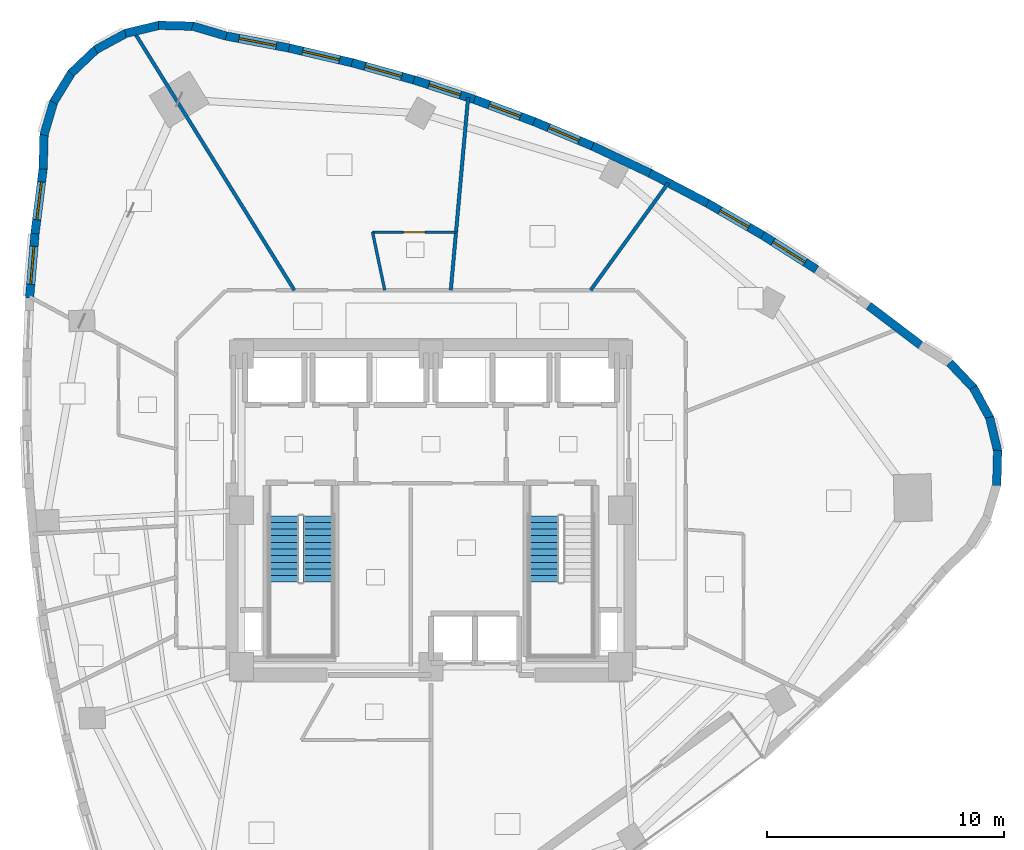
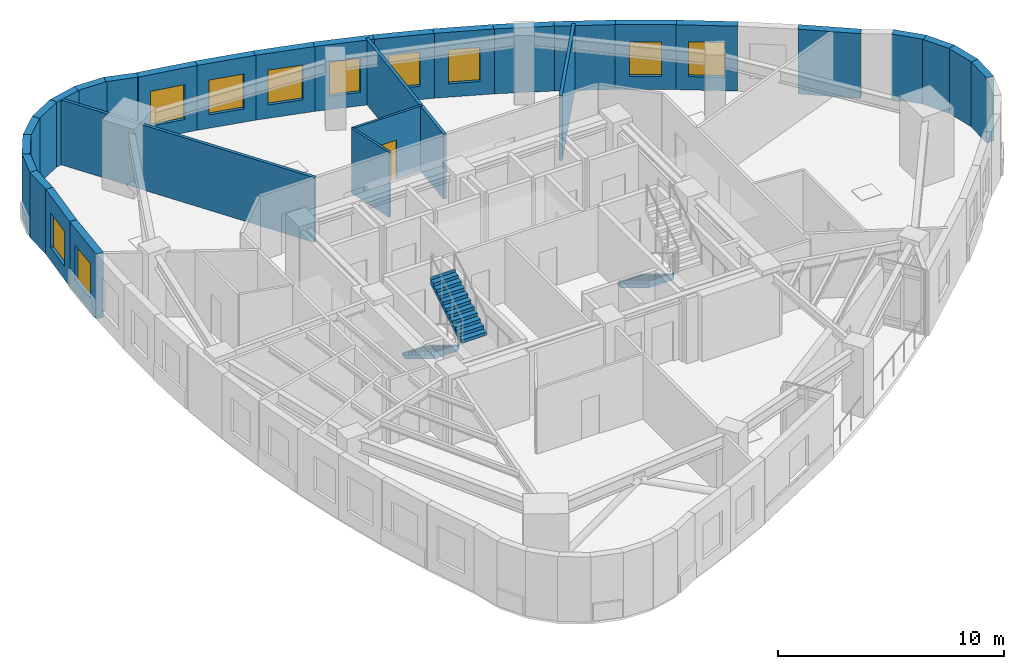
# One storey, part 8 of 12: 30 walls, 10 windows, 3 stair flights, 1 door, 11 openings, 2 elements without a shape of their own.
"""IFC4 building model written with IfcOpenShell, lengths in metres."""

import ifcopenshell
import ifcopenshell.guid

model = None  # the IFC model being written
_history = None  # IfcOwnerHistory: only IFC2X3 demands one
_inside = {}  # id of a spatial element -> (the spatial element, [elements in it])
_under = {}  # id of a project, library or spatial element -> (it, [spatial elements below it])
_declared = {}  # id of a project -> (the project, [libraries it declares])
_typed = {}  # id of a type object -> (the type object, [elements of that type])
_made_of = {}  # id of a material, layer set ... -> (it, [elements and type objects made of it])


def new_model(schema):
    """Start an empty IFC model of exactly this schema.

    Asked for "IFC4X3", IfcOpenShell would pick the latest addendum, in which some entities
    have other attributes; the version numbers below select the first issue.
    IFC2X3 requires an IfcOwnerHistory on every rooted entity: one is made here for all.
    """
    global model, _history
    if schema == "IFC4X3":
        model = ifcopenshell.file(schema_version=(4, 3, 0, 0))
    else:
        model = ifcopenshell.file(schema=schema)
    _inside.clear()
    _under.clear()
    _declared.clear()
    _typed.clear()
    _made_of.clear()
    _history = None
    if model.schema == "IFC2X3":
        org = make("IfcOrganization", Name="unknown")
        user = make(
            "IfcPersonAndOrganization",
            ThePerson=make("IfcPerson", FamilyName="unknown"),
            TheOrganization=org,
        )
        app = make(
            "IfcApplication",
            ApplicationDeveloper=org,
            Version="unknown",
            ApplicationFullName="unknown",
            ApplicationIdentifier="unknown",
        )
        _history = make(
            "IfcOwnerHistory",
            OwningUser=user,
            OwningApplication=app,
            ChangeAction="ADDED",
            CreationDate=0,
        )
    return model


def make(cls, **values):
    """One entity of the class cls with the attributes given. An attribute that is None is left unset."""
    return model.create_entity(
        cls, **{name: value for name, value in values.items() if value is not None}
    )


def rooted(cls, **values):
    """An entity with a GlobalId (a new one), such as an element, a storey or a relation."""
    return make(cls, GlobalId=ifcopenshell.guid.new(), OwnerHistory=_history, **values)


def si_unit(unit_type, name, prefix=None):
    """IfcSIUnit, for example si_unit("LENGTHUNIT", "METRE", prefix="MILLI")."""
    return make("IfcSIUnit", UnitType=unit_type, Prefix=prefix, Name=name)


def assignment(units):
    """IfcUnitAssignment: the units of a project."""
    return None if units is None else make("IfcUnitAssignment", Units=units)


def point(xyz):
    """IfcCartesianPoint."""
    return None if xyz is None else make("IfcCartesianPoint", Coordinates=xyz)


def direction(xyz):
    """IfcDirection."""
    return None if xyz is None else make("IfcDirection", DirectionRatios=xyz)


def frame(location, z_axis=None, x_axis=None):
    """IfcAxis2Placement3D, a coordinate frame: its origin and axes. An axis left out is left unset."""
    return make(
        "IfcAxis2Placement3D",
        Location=point(location),
        Axis=direction(z_axis),
        RefDirection=direction(x_axis),
    )


def frame_2d(location, x_axis=None):
    """IfcAxis2Placement2D, a coordinate frame in the plane: its origin and x axis."""
    return make(
        "IfcAxis2Placement2D", Location=point(location), RefDirection=direction(x_axis)
    )


def origin():
    """The frame at (0, 0, 0) with its axes left unset."""
    return frame((0.0, 0.0, 0.0))


def place(relative_to, where):
    """IfcLocalPlacement: puts the frame where relative to a parent placement (None: the world)."""
    return make(
        "IfcLocalPlacement", PlacementRelTo=relative_to, RelativePlacement=where
    )


def context(
    kind, dimensions, precision=None, world=None, true_north=None, identifier=None
):
    """IfcGeometricRepresentationContext, for example the 3D "Model" context."""
    return make(
        "IfcGeometricRepresentationContext",
        ContextIdentifier=identifier,
        ContextType=kind,
        CoordinateSpaceDimension=dimensions,
        Precision=precision,
        WorldCoordinateSystem=world,
        TrueNorth=true_north,
    )


def subcontext(parent, identifier, kind, view, scale=None):
    """IfcGeometricRepresentationSubContext, for example "Body" below "Model"."""
    return make(
        "IfcGeometricRepresentationSubContext",
        ContextIdentifier=identifier,
        ContextType=kind,
        ParentContext=parent,
        TargetScale=scale,
        TargetView=view,
    )


def project(units=None, contexts=None):
    """IfcProject with its units and contexts."""
    return rooted(
        "IfcProject",
        Name="project",
        RepresentationContexts=contexts,
        UnitsInContext=assignment(units),
    )


def spatial(cls, under=None, at=None, **own):
    """A site, building, storey or space (cls), placed at a placement, below another one or the project."""
    s = rooted(cls, ObjectPlacement=at, **own)
    if under is not None:
        _under.setdefault(under.id(), (under, []))[1].append(s)
    return s


def polyline(points):
    """IfcPolyline through the points."""
    return make("IfcPolyline", Points=[point(p) for p in points])


def profile(cls, at=None, kind="AREA", **sizes):
    """A parametric profile (cls). Its sizes go by their IFC names, for example OverallWidth=200.0."""
    return make(cls, ProfileType=kind, Position=at, **sizes)


def rectangle(**sizes):
    """IfcRectangleProfileDef."""
    return profile("IfcRectangleProfileDef", **sizes)


def outline(outer, holes=None, kind="AREA"):
    """IfcArbitraryClosedProfileDef: a profile drawn as a closed curve; with holes, ...WithVoids."""
    if holes is None:
        return make("IfcArbitraryClosedProfileDef", ProfileType=kind, OuterCurve=outer)
    return make(
        "IfcArbitraryProfileDefWithVoids",
        ProfileType=kind,
        OuterCurve=outer,
        InnerCurves=holes,
    )


def extrude(swept, where, along, depth):
    """IfcExtrudedAreaSolid: the profile swept, set in the frame where, extruded along a direction by depth."""
    return make(
        "IfcExtrudedAreaSolid",
        SweptArea=swept,
        Position=where,
        ExtrudedDirection=direction(along),
        Depth=depth,
    )


def shape(context_of_items, identifier, shape_type, items):
    """IfcShapeRepresentation: the items that make up one representation, for example the "Body"."""
    return make(
        "IfcShapeRepresentation",
        ContextOfItems=context_of_items,
        RepresentationIdentifier=identifier,
        RepresentationType=shape_type,
        Items=items,
    )


def material(Name=None, Category=None):
    """IfcMaterial."""
    return make("IfcMaterial", Name=Name, Category=Category)


def layer(
    of_material, thickness, ventilated=None, Name=None, Category=None, Priority=None
):
    """IfcMaterialLayer: one layer of a wall or slab, of a material (None: an air gap)."""
    return make(
        "IfcMaterialLayer",
        Material=of_material,
        LayerThickness=thickness,
        IsVentilated=ventilated,
        Name=Name,
        Category=Category,
        Priority=Priority,
    )


def layer_set(layers, Name=None):
    """IfcMaterialLayerSet."""
    return make("IfcMaterialLayerSet", MaterialLayers=layers, LayerSetName=Name)


def made_of(thing, what):
    """Note that an element or type object is made of a material, layer set ...; save() writes the relation."""
    if what is not None:
        _made_of.setdefault(what.id(), (what, []))[1].append(thing)
    return thing


def type_object(cls, material=None, **own):
    """A type object (cls), such as IfcWallType, which elements share."""
    return made_of(rooted(cls, **own), material)


def element(
    cls,
    number,
    at=None,
    inside=None,
    cuts=None,
    type_object=None,
    material=None,
    context=None,
    identifier="Body",
    shape_type=None,
    held_by="IfcProductDefinitionShape",
    body=None,
    shapes=None,
    **own,
):
    """One element of the class cls, such as IfcWall. Its Tag is "e" and its number.

    at: its placement. inside: the storey or other place that contains it. cuts: it is an
    opening in that element (IfcRelVoidsElement). A single representation is given by context,
    identifier, shape_type and body (its items); several are given by shapes. held_by: the class
    of the entity that holds the representations. save() writes the other relations.
    """
    e = rooted(cls, Tag="e%d" % number, ObjectPlacement=at, **own)
    if body is not None:
        shapes = [shape(context, identifier, shape_type, body)]
    if shapes is not None:
        e.Representation = make(held_by, Representations=shapes)
    if inside is not None:
        _inside.setdefault(inside.id(), (inside, []))[1].append(e)
    if cuts is not None:
        rooted(
            "IfcRelVoidsElement", RelatingBuildingElement=cuts, RelatedOpeningElement=e
        )
    if type_object is not None:
        _typed.setdefault(type_object.id(), (type_object, []))[1].append(e)
    return made_of(e, material)


def fill(opening, filler):
    """IfcRelFillsElement: the door or window that sits in an opening."""
    return rooted(
        "IfcRelFillsElement",
        RelatingOpeningElement=opening,
        RelatedBuildingElement=filler,
    )


def aggregate(whole, parts):
    """IfcRelAggregates: a whole, such as a stair, and the parts it consists of."""
    return rooted("IfcRelAggregates", RelatingObject=whole, RelatedObjects=parts)


def save(model, path):
    """Write the relations noted so far, then the file.

    IfcRelAggregates (storeys below a building ...), IfcRelContainedInSpatialStructure (elements
    in a storey), IfcRelDefinesByType, IfcRelAssociatesMaterial and IfcRelDeclares: one each for
    every whole, place, type object, material and project.
    """
    for whole, parts in _under.values():
        aggregate(whole, parts)
    for where, things in _inside.values():
        rooted(
            "IfcRelContainedInSpatialStructure",
            RelatedElements=things,
            RelatingStructure=where,
        )
    for kind, things in _typed.values():
        rooted("IfcRelDefinesByType", RelatedObjects=things, RelatingType=kind)
    for what, things in _made_of.values():
        rooted("IfcRelAssociatesMaterial", RelatedObjects=things, RelatingMaterial=what)
    for by, libraries in _declared.values():
        rooted("IfcRelDeclares", RelatingContext=by, RelatedDefinitions=libraries)
    model.write(path)


model = new_model("IFC4")

# Units and contexts
model_context = context("Model", 3, precision=1e-05, world=origin(), true_north=direction((0.0, 1.0)))
body_context = subcontext(model_context, "Body", "Model", "MODEL_VIEW")
ifc_project = project(units=[si_unit("LENGTHUNIT", "METRE"), si_unit("AREAUNIT", "SQUARE_METRE"), si_unit("VOLUMEUNIT", "CUBIC_METRE"), si_unit("PLANEANGLEUNIT", "RADIAN"), si_unit("MASSUNIT", "GRAM", prefix="KILO")], contexts=[model_context])

# Site, building, storey
site_placement = place(None, origin())
site = spatial("IfcSite", under=ifc_project, at=site_placement, CompositionType="ELEMENT")
building_placement = place(site_placement, origin())
building = spatial("IfcBuilding", under=site, at=building_placement, Name="Ndelora Gate Hotel", CompositionType="ELEMENT")
storey_placement = place(building_placement, frame((0.0, 0.0, 142.25)))
storey = spatial("IfcBuildingStorey", under=building, at=storey_placement, Name="L35", CompositionType="ELEMENT", Elevation=142.25)

# Walls
ifc_material_1 = material(Name="Clay Brick Masonry", Category="masonry")
ifc_layer_1 = layer(ifc_material_1, 0.360107421875)
ifc_layer_set_1 = layer_set([ifc_layer_1], Name="Clay Brick Masonry")
wall_type_1 = type_object("IfcWallType", Name="WL-BRICK-360", PredefinedType="SOLIDWALL", material=ifc_layer_set_1)
for number, where, z_axis, x_axis, name in (
    (1, (-10.072998046875, 20.455078125, 0.0), (0.0, 0.0, 1.0), (0.95879313952, -0.284105113664, 0.0), "L35 Tower Brick Pier-and-Spandrel Wall TWR-1"),
    (2, (-11.509521484375, 20.486083984375, 0.0), (0.0, 0.0, 1.0), (0.999658678656, -0.026125202154, 0.0), "L35 Tower Brick Pier-and-Spandrel Wall TWR-2"),
):
    element("IfcWall", number, at=place(storey_placement, frame(where, z_axis=z_axis, x_axis=x_axis)), inside=storey, type_object=wall_type_1, Name=name, PredefinedType="SOLIDWALL", context=body_context, shape_type="SweptSolid", body=[
        extrude(rectangle(XDim=1.48583984375, YDim=0.360107421875, at=frame_2d((0.742919921875, 0.0))), origin(), (0.0, 0.0, 1.0), 3.5),
    ])
wall_1_placement = place(storey_placement, frame((-12.90478515625, 20.14453125, 0.0), z_axis=(0.0, 0.0, 1.0), x_axis=(0.972390285352, 0.233360521413, 0.0)))
element("IfcWall", 3, at=wall_1_placement, inside=storey, type_object=wall_type_1, Name="L35 Tower Brick Pier-and-Spandrel Wall TWR-3", PredefinedType="SOLIDWALL", context=body_context, shape_type="SweptSolid", body=[
    extrude(rectangle(XDim=1.485595703125, YDim=0.360107421875, at=frame_2d((0.74267578125, 0.0))), origin(), (0.0, 0.0, 1.0), 3.5),
])
wall_2_placement = place(storey_placement, frame((-14.164306640625, 19.453369140625, 0.0), z_axis=(0.0, 0.0, 1.0), x_axis=(0.87890460574, 0.476997582812, 0.0)))
element("IfcWall", 4, at=wall_2_placement, inside=storey, type_object=wall_type_1, Name="L35 Tower Brick Pier-and-Spandrel Wall TWR-4", PredefinedType="SOLIDWALL", context=body_context, shape_type="SweptSolid", body=[
    extrude(rectangle(XDim=1.48583984375, YDim=0.360107421875, at=frame_2d((0.742919921875, 0.0))), origin(), (0.0, 0.0, 1.0), 3.5),
])
wall_3_placement = place(storey_placement, frame((-15.201904296875, 18.459716796875, 0.0), z_axis=(0.0, 0.0, 1.0), x_axis=(0.725352183474, 0.688377955726, 0.0)))
element("IfcWall", 5, at=wall_3_placement, inside=storey, type_object=wall_type_1, Name="L35 Tower Brick Pier-and-Spandrel Wall TWR-5", PredefinedType="SOLIDWALL", context=body_context, shape_type="SweptSolid", body=[
    extrude(rectangle(XDim=1.485595703125, YDim=0.360107421875, at=frame_2d((0.74267578125, 0.0))), origin(), (0.0, 0.0, 1.0), 3.5),
])
wall_4_placement = place(storey_placement, frame((-15.947021484375, 17.2314453125, 0.0), z_axis=(0.0, 0.0, 1.0), x_axis=(0.522519673624, 0.852627228439, 0.0)))
element("IfcWall", 6, at=wall_4_placement, inside=storey, type_object=wall_type_1, Name="L35 Tower Brick Pier-and-Spandrel Wall TWR-6", PredefinedType="SOLIDWALL", context=body_context, shape_type="SweptSolid", body=[
    extrude(rectangle(XDim=1.48583984375, YDim=0.360107421875, at=frame_2d((0.742919921875, 0.0))), origin(), (0.0, 0.0, 1.0), 3.5),
])
for number, where, z_axis, x_axis, name in (
    (7, (-16.348876953125, 15.85205078125, 0.0), (0.0, 0.0, 1.0), (0.283954048509, 0.958837889497, 0.0), "L35 Tower Brick Pier-and-Spandrel Wall TWR-7"),
    (8, (-16.380126953125, 14.415771484375, 0.0), (0.0, 0.0, 1.0), (0.026293717191, 0.99965426045, 0.0), "L35 Tower Brick Pier-and-Spandrel Wall TWR-8"),
):
    element("IfcWall", number, at=place(storey_placement, frame(where, z_axis=z_axis, x_axis=x_axis)), inside=storey, type_object=wall_type_1, Name=name, PredefinedType="SOLIDWALL", context=body_context, shape_type="SweptSolid", body=[
        extrude(rectangle(XDim=1.485595703125, YDim=0.360107421875, at=frame_2d((0.74267578125, 0.0))), origin(), (0.0, 0.0, 1.0), 3.5),
    ])

# Wall, opening, window
wall_5_placement = place(storey_placement, frame((-16.725341796875, 11.686279296875, 0.0), z_axis=(0.0, 0.0, 1.0), x_axis=(0.124635429152, 0.992202605217, 0.0)))
wall_5 = element("IfcWall", 9, at=wall_5_placement, inside=storey, type_object=wall_type_1, Name="L35 Tower Brick Pier-and-Spandrel Wall TWR-9", PredefinedType="SOLIDWALL", context=body_context, shape_type="SweptSolid", body=[
    extrude(rectangle(XDim=2.801025390625, YDim=0.360107421875, at=frame_2d((1.400390625, 0.0))), origin(), (0.0, 0.0, 1.0), 3.5),
])
opening_1_placement = place(wall_5_placement, frame((0.6005859375, 0.0, 0.719970703125)))
opening_1 = element("IfcOpeningElement", 10, at=opening_1_placement, cuts=wall_5, Name="Opening W03", PredefinedType="OPENING", context=body_context, shape_type="SweptSolid", body=[
    extrude(rectangle(XDim=1.60009765625, YDim=1.8798828125, at=frame_2d((0.800048828125, 0.93994140625))), frame((0.0, 0.18994140625, 0.0), z_axis=(0.0, -1.0, 0.0), x_axis=(1.0, 0.0, 0.0)), (0.0, 0.0, 1.0), 0.380126953125),
])
ifc_material_2 = material(Name="Insulated Low-E Double Glazing in Bronze Aluminium Frame", Category="aluminium")
window_type_1 = type_object("IfcWindowType", Name="WN-CORN-2100", PartitioningType="SINGLE_PANEL", PredefinedType="WINDOW", material=ifc_material_2)
window_1_placement = place(opening_1_placement, origin())
window_1 = element("IfcWindow", 11, at=window_1_placement, inside=storey, type_object=window_type_1, Name="L35 Deep-Set Brick-Pier Window W03", OverallHeight=1.8798828125, OverallWidth=1.60009765625, PartitioningType="SINGLE_PANEL", PredefinedType="WINDOW", context=body_context, shape_type="SweptSolid", body=[
    extrude(rectangle(XDim=1.60009765625, YDim=1.8798828125, at=frame_2d((0.800048828125, 0.93994140625))), frame((0.0, 0.030029296875, 0.0), z_axis=(0.0, -1.0, 0.0), x_axis=(1.0, 0.0, 0.0)), (0.0, 0.0, 1.0), 0.06005859375),
])
fill(opening_1, window_1)

wall_6_placement = place(storey_placement, frame((-16.9541015625, 8.96826171875, 0.0), z_axis=(0.0, 0.0, 1.0), x_axis=(0.084209356436, 0.996448084091, 0.0)))
wall_6 = element("IfcWall", 12, at=wall_6_placement, inside=storey, type_object=wall_type_1, Name="L35 Tower Brick Pier-and-Spandrel Wall TWR-10", PredefinedType="SOLIDWALL", context=body_context, shape_type="SweptSolid", body=[
    extrude(rectangle(XDim=2.77734375, YDim=0.360107421875, at=frame_2d((1.388671875, 0.0))), origin(), (0.0, 0.0, 1.0), 3.5),
])
opening_2_placement = place(wall_6_placement, frame((0.5888671875, 0.0, 0.719970703125)))
opening_2 = element("IfcOpeningElement", 13, at=opening_2_placement, cuts=wall_6, Name="Opening W01", PredefinedType="OPENING", context=body_context, shape_type="SweptSolid", body=[
    extrude(rectangle(XDim=1.60009765625, YDim=1.8798828125, at=frame_2d((0.800048828125, 0.93994140625))), frame((0.0, 0.18994140625, 0.0), z_axis=(0.0, -1.0, 0.0), x_axis=(1.0, 0.0, 0.0)), (0.0, 0.0, 1.0), 0.380126953125),
])
window_type_2 = type_object("IfcWindowType", Name="WN-DEEP-1600", PartitioningType="SINGLE_PANEL", PredefinedType="WINDOW", material=ifc_material_2)
window_2_placement = place(opening_2_placement, origin())
window_2 = element("IfcWindow", 14, at=window_2_placement, inside=storey, type_object=window_type_2, Name="L35 Deep-Set Brick-Pier Window W01", OverallHeight=1.8798828125, OverallWidth=1.60009765625, PartitioningType="SINGLE_PANEL", PredefinedType="WINDOW", context=body_context, shape_type="SweptSolid", body=[
    extrude(rectangle(XDim=1.60009765625, YDim=1.8798828125, at=frame_2d((0.800048828125, 0.93994140625))), frame((0.0, 0.030029296875, 0.0), z_axis=(0.0, -1.0, 0.0), x_axis=(1.0, 0.0, 0.0)), (0.0, 0.0, 1.0), 0.06005859375),
])
fill(opening_2, window_2)

# Walls
wall_7_placement = place(storey_placement, frame((23.92919921875, 2.5400390625, 0.0), z_axis=(0.0, 0.0, 1.0), x_axis=(-0.026289398397, -0.999654374037, 0.0)))
element("IfcWall", 15, at=wall_7_placement, inside=storey, type_object=wall_type_1, Name="L35 Tower Brick Pier-and-Spandrel Wall TWR-42", PredefinedType="SOLIDWALL", context=body_context, shape_type="SweptSolid", body=[
    extrude(rectangle(XDim=1.48583984375, YDim=0.360107421875, at=frame_2d((0.742919921875, 0.0))), origin(), (0.0, 0.0, 1.0), 3.5),
])
for number, where, z_axis, x_axis, name in (
    (16, (23.587646484375, 3.935302734375, 0.0), (0.0, 0.0, 1.0), (0.233360521413, -0.972390285352, 0.0), "L35 Tower Brick Pier-and-Spandrel Wall TWR-43"),
    (17, (22.896484375, 5.19482421875, 0.0), (0.0, 0.0, 1.0), (0.477066476677, -0.878867212286, 0.0), "L35 Tower Brick Pier-and-Spandrel Wall TWR-44"),
):
    element("IfcWall", number, at=place(storey_placement, frame(where, z_axis=z_axis, x_axis=x_axis)), inside=storey, type_object=wall_type_1, Name=name, PredefinedType="SOLIDWALL", context=body_context, shape_type="SweptSolid", body=[
        extrude(rectangle(XDim=1.485595703125, YDim=0.360107421875, at=frame_2d((0.74267578125, 0.0))), origin(), (0.0, 0.0, 1.0), 3.5),
    ])
wall_8_placement = place(storey_placement, frame((21.902587890625, 6.232421875, 0.0), z_axis=(0.0, 0.0, 1.0), x_axis=(0.688464400899, -0.725270134981, 0.0)))
element("IfcWall", 18, at=wall_8_placement, inside=storey, type_object=wall_type_1, Name="L35 Tower Brick Pier-and-Spandrel Wall TWR-45", PredefinedType="SOLIDWALL", context=body_context, shape_type="SweptSolid", body=[
    extrude(rectangle(XDim=1.48583984375, YDim=0.360107421875, at=frame_2d((0.742919921875, 0.0))), origin(), (0.0, 0.0, 1.0), 3.5),
])
wall_9_placement = place(storey_placement, frame((18.483154296875, 8.6416015625, 0.0), z_axis=(0.0, 0.0, 1.0), x_axis=(0.796935762967, -0.604064060928, 0.0)))
element("IfcWall", 19, at=wall_9_placement, inside=storey, type_object=wall_type_1, Name="L35 Tower Brick Pier-and-Spandrel Wall TWR-47", PredefinedType="SOLIDWALL", context=body_context, shape_type="SweptSolid", body=[
    extrude(rectangle(XDim=2.80126953125, YDim=0.360107421875, at=frame_2d((1.400634765625, 0.0))), origin(), (0.0, 0.0, 1.0), 3.5),
])

# Wall, opening, window
wall_10_placement = place(storey_placement, frame((13.9580078125, 11.6513671875, 0.0), z_axis=(0.0, 0.0, 1.0), x_axis=(0.843759875161, -0.53672085209, 0.0)))
wall_10 = element("IfcWall", 20, at=wall_10_placement, inside=storey, type_object=wall_type_1, Name="L35 Tower Brick Pier-and-Spandrel Wall TWR-49", PredefinedType="SOLIDWALL", context=body_context, shape_type="SweptSolid", body=[
    extrude(rectangle(XDim=2.75830078125, YDim=0.360107421875, at=frame_2d((1.379150390625, 0.0))), origin(), (0.0, 0.0, 1.0), 3.5),
])
opening_3_placement = place(wall_10_placement, frame((0.5791015625, 0.0, 0.719970703125)))
opening_3 = element("IfcOpeningElement", 21, at=opening_3_placement, cuts=wall_10, Name="Opening W03", PredefinedType="OPENING", context=body_context, shape_type="SweptSolid", body=[
    extrude(rectangle(XDim=1.60009765625, YDim=1.8798828125, at=frame_2d((0.800048828125, 0.93994140625))), frame((0.0, 0.18994140625, 0.0), z_axis=(0.0, -1.0, 0.0), x_axis=(1.0, 0.0, 0.0)), (0.0, 0.0, 1.0), 0.380126953125),
])
window_3_placement = place(opening_3_placement, origin())
window_3 = element("IfcWindow", 22, at=window_3_placement, inside=storey, type_object=window_type_1, Name="L35 Deep-Set Brick-Pier Window W03", OverallHeight=1.8798828125, OverallWidth=1.60009765625, PartitioningType="SINGLE_PANEL", PredefinedType="WINDOW", context=body_context, shape_type="SweptSolid", body=[
    extrude(rectangle(XDim=1.60009765625, YDim=1.8798828125, at=frame_2d((0.800048828125, 0.93994140625))), frame((0.0, 0.030029296875, 0.0), z_axis=(0.0, -1.0, 0.0), x_axis=(1.0, 0.0, 0.0)), (0.0, 0.0, 1.0), 0.06005859375),
])
fill(opening_3, window_3)

wall_11_placement = place(storey_placement, frame((11.6259765625, 13.000244140625, 0.0), z_axis=(0.0, 0.0, 1.0), x_axis=(0.86542019342, -0.501046793044, 0.0)))
wall_11 = element("IfcWall", 23, at=wall_11_placement, inside=storey, type_object=wall_type_1, Name="L35 Tower Brick Pier-and-Spandrel Wall TWR-50", PredefinedType="SOLIDWALL", context=body_context, shape_type="SweptSolid", body=[
    extrude(rectangle(XDim=2.74365234375, YDim=0.360107421875, at=frame_2d((1.371826171875, 0.0))), origin(), (0.0, 0.0, 1.0), 3.5),
])
opening_4_placement = place(wall_11_placement, frame((0.672119140625, 0.0, 0.719970703125)))
opening_4 = element("IfcOpeningElement", 24, at=opening_4_placement, cuts=wall_11, Name="Opening W02", PredefinedType="OPENING", context=body_context, shape_type="SweptSolid", body=[
    extrude(rectangle(XDim=1.39990234375, YDim=1.840087890625, at=frame_2d((0.699951171875, 0.919921875))), frame((0.0, 0.18994140625, 0.0), z_axis=(0.0, -1.0, 0.0), x_axis=(1.0, 0.0, 0.0)), (0.0, 0.0, 1.0), 0.380126953125),
])
window_type_3 = type_object("IfcWindowType", Name="WN-DEEP-1400", PartitioningType="SINGLE_PANEL", PredefinedType="WINDOW", material=ifc_material_2)
window_4_placement = place(opening_4_placement, origin())
window_4 = element("IfcWindow", 25, at=window_4_placement, inside=storey, type_object=window_type_3, Name="L35 Deep-Set Brick-Pier Window W02", OverallHeight=1.840087890625, OverallWidth=1.39990234375, PartitioningType="SINGLE_PANEL", PredefinedType="WINDOW", context=body_context, shape_type="SweptSolid", body=[
    extrude(rectangle(XDim=1.39990234375, YDim=1.840087890625, at=frame_2d((0.699951171875, 0.919921875))), frame((0.0, 0.030029296875, 0.0), z_axis=(0.0, -1.0, 0.0), x_axis=(1.0, 0.0, 0.0)), (0.0, 0.0, 1.0), 0.06005859375),
])
fill(opening_4, window_4)

# Walls
wall_12_placement = place(storey_placement, frame((9.24755859375, 14.2451171875, 0.0), z_axis=(0.0, 0.0, 1.0), x_axis=(0.885821049336, -0.464027012741, 0.0)))
element("IfcWall", 26, at=wall_12_placement, inside=storey, type_object=wall_type_1, Name="L35 Tower Brick Pier-and-Spandrel Wall TWR-51", PredefinedType="SOLIDWALL", context=body_context, shape_type="SweptSolid", body=[
    extrude(rectangle(XDim=2.734375, YDim=0.360107421875, at=frame_2d((1.3671875, 0.0))), origin(), (0.0, 0.0, 1.0), 3.5),
])
wall_13_placement = place(storey_placement, frame((6.82275390625, 15.3857421875, 0.0), z_axis=(0.0, 0.0, 1.0), x_axis=(0.904715296729, -0.426016703739, 0.0)))
element("IfcWall", 27, at=wall_13_placement, inside=storey, type_object=wall_type_1, Name="L35 Tower Brick Pier-and-Spandrel Wall TWR-52", PredefinedType="SOLIDWALL", context=body_context, shape_type="SweptSolid", body=[
    extrude(rectangle(XDim=2.7294921875, YDim=0.360107421875, at=frame_2d((1.36474609375, 0.0))), origin(), (0.0, 0.0, 1.0), 3.5),
])

# Wall, opening, window
wall_14_placement = place(storey_placement, frame((4.351806640625, 16.42236328125, 0.0), z_axis=(0.0, 0.0, 1.0), x_axis=(0.921993601294, -0.387205112534, 0.0)))
wall_14 = element("IfcWall", 28, at=wall_14_placement, inside=storey, type_object=wall_type_1, Name="L35 Tower Brick Pier-and-Spandrel Wall TWR-53", PredefinedType="SOLIDWALL", context=body_context, shape_type="SweptSolid", body=[
    extrude(rectangle(XDim=2.7294921875, YDim=0.360107421875, at=frame_2d((1.36474609375, 0.0))), origin(), (0.0, 0.0, 1.0), 3.5),
])
opening_5_placement = place(wall_14_placement, frame((0.664794921875, 0.0, 0.719970703125)))
opening_5 = element("IfcOpeningElement", 29, at=opening_5_placement, cuts=wall_14, Name="Opening W02", PredefinedType="OPENING", context=body_context, shape_type="SweptSolid", body=[
    extrude(rectangle(XDim=1.39990234375, YDim=1.840087890625, at=frame_2d((0.699951171875, 0.919921875))), frame((0.0, 0.18994140625, 0.0), z_axis=(0.0, -1.0, 0.0), x_axis=(1.0, 0.0, 0.0)), (0.0, 0.0, 1.0), 0.380126953125),
])
window_5_placement = place(opening_5_placement, origin())
window_5 = element("IfcWindow", 30, at=window_5_placement, inside=storey, type_object=window_type_3, Name="L35 Deep-Set Brick-Pier Window W02", OverallHeight=1.840087890625, OverallWidth=1.39990234375, PartitioningType="SINGLE_PANEL", PredefinedType="WINDOW", context=body_context, shape_type="SweptSolid", body=[
    extrude(rectangle(XDim=1.39990234375, YDim=1.840087890625, at=frame_2d((0.699951171875, 0.919921875))), frame((0.0, 0.030029296875, 0.0), z_axis=(0.0, -1.0, 0.0), x_axis=(1.0, 0.0, 0.0)), (0.0, 0.0, 1.0), 0.06005859375),
])
fill(opening_5, window_5)

wall_15_placement = place(storey_placement, frame((1.834716796875, 17.35498046875, 0.0), z_axis=(0.0, 0.0, 1.0), x_axis=(0.937570914704, -0.347794163121, 0.0)))
wall_15 = element("IfcWall", 31, at=wall_15_placement, inside=storey, type_object=wall_type_1, Name="L35 Tower Brick Pier-and-Spandrel Wall TWR-54", PredefinedType="SOLIDWALL", context=body_context, shape_type="SweptSolid", body=[
    extrude(rectangle(XDim=2.734130859375, YDim=0.360107421875, at=frame_2d((1.3671875, 0.0))), origin(), (0.0, 0.0, 1.0), 3.5),
])
opening_6_placement = place(wall_15_placement, frame((0.667236328125, 0.0, 0.719970703125)))
opening_6 = element("IfcOpeningElement", 32, at=opening_6_placement, cuts=wall_15, Name="Opening W02", PredefinedType="OPENING", context=body_context, shape_type="SweptSolid", body=[
    extrude(rectangle(XDim=1.39990234375, YDim=1.840087890625, at=frame_2d((0.699951171875, 0.919921875))), frame((0.0, 0.18994140625, 0.0), z_axis=(0.0, -1.0, 0.0), x_axis=(1.0, 0.0, 0.0)), (0.0, 0.0, 1.0), 0.380126953125),
])
window_6_placement = place(opening_6_placement, origin())
window_6 = element("IfcWindow", 33, at=window_6_placement, inside=storey, type_object=window_type_3, Name="L35 Deep-Set Brick-Pier Window W02", OverallHeight=1.840087890625, OverallWidth=1.39990234375, PartitioningType="SINGLE_PANEL", PredefinedType="WINDOW", context=body_context, shape_type="SweptSolid", body=[
    extrude(rectangle(XDim=1.39990234375, YDim=1.840087890625, at=frame_2d((0.699951171875, 0.919921875))), frame((0.0, 0.030029296875, 0.0), z_axis=(0.0, -1.0, 0.0), x_axis=(1.0, 0.0, 0.0)), (0.0, 0.0, 1.0), 0.06005859375),
])
fill(opening_6, window_6)

wall_16_placement = place(storey_placement, frame((-0.728759765625, 18.18359375, 0.0), z_axis=(0.0, 0.0, 1.0), x_axis=(0.951405423372, -0.307941098877, 0.0)))
wall_16 = element("IfcWall", 34, at=wall_16_placement, inside=storey, type_object=wall_type_1, Name="L35 Tower Brick Pier-and-Spandrel Wall TWR-55", PredefinedType="SOLIDWALL", context=body_context, shape_type="SweptSolid", body=[
    extrude(rectangle(XDim=2.743896484375, YDim=0.360107421875, at=frame_2d((1.3720703125, 0.0))), origin(), (0.0, 0.0, 1.0), 3.5),
])
opening_7_placement = place(wall_16_placement, frame((0.672119140625, 0.0, 0.719970703125)))
opening_7 = element("IfcOpeningElement", 35, at=opening_7_placement, cuts=wall_16, Name="Opening W02", PredefinedType="OPENING", context=body_context, shape_type="SweptSolid", body=[
    extrude(rectangle(XDim=1.39990234375, YDim=1.840087890625, at=frame_2d((0.699951171875, 0.919921875))), frame((0.0, 0.18994140625, 0.0), z_axis=(0.0, -1.0, 0.0), x_axis=(1.0, 0.0, 0.0)), (0.0, 0.0, 1.0), 0.380126953125),
])
window_7_placement = place(opening_7_placement, origin())
window_7 = element("IfcWindow", 36, at=window_7_placement, inside=storey, type_object=window_type_3, Name="L35 Deep-Set Brick-Pier Window W02", OverallHeight=1.840087890625, OverallWidth=1.39990234375, PartitioningType="SINGLE_PANEL", PredefinedType="WINDOW", context=body_context, shape_type="SweptSolid", body=[
    extrude(rectangle(XDim=1.39990234375, YDim=1.840087890625, at=frame_2d((0.699951171875, 0.919921875))), frame((0.0, 0.030029296875, 0.0), z_axis=(0.0, -1.0, 0.0), x_axis=(1.0, 0.0, 0.0)), (0.0, 0.0, 1.0), 0.06005859375),
])
fill(opening_7, window_7)

wall_17_placement = place(storey_placement, frame((-3.338623046875, 18.907958984375, 0.0), z_axis=(0.0, 0.0, 1.0), x_axis=(0.963469710564, -0.267817319876, 0.0)))
wall_17 = element("IfcWall", 37, at=wall_17_placement, inside=storey, type_object=wall_type_1, Name="L35 Tower Brick Pier-and-Spandrel Wall TWR-56", PredefinedType="SOLIDWALL", context=body_context, shape_type="SweptSolid", body=[
    extrude(rectangle(XDim=2.758544921875, YDim=0.360107421875, at=frame_2d((1.37939453125, 0.0))), origin(), (0.0, 0.0, 1.0), 3.5),
])
opening_8_placement = place(wall_17_placement, frame((0.5791015625, 0.0, 0.719970703125)))
opening_8 = element("IfcOpeningElement", 38, at=opening_8_placement, cuts=wall_17, Name="Opening W01", PredefinedType="OPENING", context=body_context, shape_type="SweptSolid", body=[
    extrude(rectangle(XDim=1.60009765625, YDim=1.8798828125, at=frame_2d((0.800048828125, 0.93994140625))), frame((0.0, 0.18994140625, 0.0), z_axis=(0.0, -1.0, 0.0), x_axis=(1.0, 0.0, 0.0)), (0.0, 0.0, 1.0), 0.380126953125),
])
window_8_placement = place(opening_8_placement, origin())
window_8 = element("IfcWindow", 39, at=window_8_placement, inside=storey, type_object=window_type_2, Name="L35 Deep-Set Brick-Pier Window W01", OverallHeight=1.8798828125, OverallWidth=1.60009765625, PartitioningType="SINGLE_PANEL", PredefinedType="WINDOW", context=body_context, shape_type="SweptSolid", body=[
    extrude(rectangle(XDim=1.60009765625, YDim=1.8798828125, at=frame_2d((0.800048828125, 0.93994140625))), frame((0.0, 0.030029296875, 0.0), z_axis=(0.0, -1.0, 0.0), x_axis=(1.0, 0.0, 0.0)), (0.0, 0.0, 1.0), 0.06005859375),
])
fill(opening_8, window_8)

wall_18_placement = place(storey_placement, frame((-5.99462890625, 19.5283203125, 0.0), z_axis=(0.0, 0.0, 1.0), x_axis=(0.973697722737, -0.227843684873, 0.0)))
wall_18 = element("IfcWall", 40, at=wall_18_placement, inside=storey, type_object=wall_type_1, Name="L35 Tower Brick Pier-and-Spandrel Wall TWR-57", PredefinedType="SOLIDWALL", context=body_context, shape_type="SweptSolid", body=[
    extrude(rectangle(XDim=2.77734375, YDim=0.360107421875, at=frame_2d((1.388671875, 0.0))), origin(), (0.0, 0.0, 1.0), 3.5),
])
opening_9_placement = place(wall_18_placement, frame((0.5888671875, 0.0, 0.719970703125)))
opening_9 = element("IfcOpeningElement", 41, at=opening_9_placement, cuts=wall_18, Name="Opening W03", PredefinedType="OPENING", context=body_context, shape_type="SweptSolid", body=[
    extrude(rectangle(XDim=1.60009765625, YDim=1.8798828125, at=frame_2d((0.800048828125, 0.93994140625))), frame((0.0, 0.18994140625, 0.0), z_axis=(0.0, -1.0, 0.0), x_axis=(1.0, 0.0, 0.0)), (0.0, 0.0, 1.0), 0.380126953125),
])
window_9_placement = place(opening_9_placement, origin())
window_9 = element("IfcWindow", 42, at=window_9_placement, inside=storey, type_object=window_type_1, Name="L35 Deep-Set Brick-Pier Window W03", OverallHeight=1.8798828125, OverallWidth=1.60009765625, PartitioningType="SINGLE_PANEL", PredefinedType="WINDOW", context=body_context, shape_type="SweptSolid", body=[
    extrude(rectangle(XDim=1.60009765625, YDim=1.8798828125, at=frame_2d((0.800048828125, 0.93994140625))), frame((0.0, 0.030029296875, 0.0), z_axis=(0.0, -1.0, 0.0), x_axis=(1.0, 0.0, 0.0)), (0.0, 0.0, 1.0), 0.06005859375),
])
fill(opening_9, window_9)

wall_19_placement = place(storey_placement, frame((-8.697021484375, 20.044921875, 0.0), z_axis=(0.0, 0.0, 1.0), x_axis=(0.982153479192, -0.188081214668, 0.0)))
wall_19 = element("IfcWall", 43, at=wall_19_placement, inside=storey, type_object=wall_type_1, Name="L35 Tower Brick Pier-and-Spandrel Wall TWR-58", PredefinedType="SOLIDWALL", context=body_context, shape_type="SweptSolid", body=[
    extrude(rectangle(XDim=2.80126953125, YDim=0.360107421875, at=frame_2d((1.400634765625, 0.0))), origin(), (0.0, 0.0, 1.0), 3.5),
])
opening_10_placement = place(wall_19_placement, frame((0.6005859375, 0.0, 0.719970703125)))
opening_10 = element("IfcOpeningElement", 44, at=opening_10_placement, cuts=wall_19, Name="Opening W01", PredefinedType="OPENING", context=body_context, shape_type="SweptSolid", body=[
    extrude(rectangle(XDim=1.60009765625, YDim=1.8798828125, at=frame_2d((0.800048828125, 0.93994140625))), frame((0.0, 0.18994140625, 0.0), z_axis=(0.0, -1.0, 0.0), x_axis=(1.0, 0.0, 0.0)), (0.0, 0.0, 1.0), 0.380126953125),
])
window_10_placement = place(opening_10_placement, origin())
window_10 = element("IfcWindow", 45, at=window_10_placement, inside=storey, type_object=window_type_2, Name="L35 Deep-Set Brick-Pier Window W01", OverallHeight=1.8798828125, OverallWidth=1.60009765625, PartitioningType="SINGLE_PANEL", PredefinedType="WINDOW", context=body_context, shape_type="SweptSolid", body=[
    extrude(rectangle(XDim=1.60009765625, YDim=1.8798828125, at=frame_2d((0.800048828125, 0.93994140625))), frame((0.0, 0.030029296875, 0.0), z_axis=(0.0, -1.0, 0.0), x_axis=(1.0, 0.0, 0.0)), (0.0, 0.0, 1.0), 0.06005859375),
])
fill(opening_10, window_10)

# Walls
ifc_material_3 = material(Name="Fire-Rated Gypsum Stud Partition", Category="gypsum")
ifc_layer_2 = layer(ifc_material_3, 0.14990234375)
ifc_layer_set_2 = layer_set([ifc_layer_2], Name="Fire-Rated Gypsum Stud Partition")
wall_type_2 = type_object("IfcWallType", Name="WL-PART-150", PredefinedType="PARTITIONING", material=ifc_layer_set_2)
wall_20_placement = place(storey_placement, frame((6.7392578125, 9.300048828125, 0.0), z_axis=(0.0, 0.0, 1.0), x_axis=(0.586776904719, 0.809748642536, 0.0)))
element("IfcWall", 46, at=wall_20_placement, inside=storey, type_object=wall_type_2, Name="L35 Interior Wall IW-5", PredefinedType="PARTITIONING", context=body_context, shape_type="SweptSolid", body=[
    extrude(rectangle(XDim=5.602783203125, YDim=0.14990234375, at=frame_2d((2.80126953125, 0.0))), origin(), (0.0, 0.0, 1.0), 3.5),
])
wall_21_placement = place(storey_placement, frame((0.83544921875, 9.300048828125, 0.0), z_axis=(0.0, 0.0, 1.0), x_axis=(0.089461102412, 0.995990316798, 0.0)))
element("IfcWall", 47, at=wall_21_placement, inside=storey, type_object=wall_type_2, Name="L35 Interior Wall IW-5", PredefinedType="PARTITIONING", context=body_context, shape_type="SweptSolid", body=[
    extrude(rectangle(XDim=8.17333984375, YDim=0.14990234375, at=frame_2d((4.086669921875, 0.0))), origin(), (0.0, 0.0, 1.0), 3.5),
])
wall_22_placement = place(storey_placement, frame((-5.771484375, 9.300048828125, 0.0), z_axis=(0.0, 0.0, 1.0), x_axis=(-0.527300490904, 0.849678875983, 0.0)))
element("IfcWall", 48, at=wall_22_placement, inside=storey, type_object=wall_type_2, Name="L35 Interior Wall IW-5", PredefinedType="PARTITIONING", context=body_context, shape_type="SweptSolid", body=[
    extrude(rectangle(XDim=12.862060546875, YDim=0.14990234375, at=frame_2d((6.43115234375, 0.0))), origin(), (0.0, 0.0, 1.0), 3.5),
])
ifc_material_4 = material(Name="Moisture-Resistant Bathroom Tile Partition", Category="gypsum")
ifc_layer_3 = layer(ifc_material_4, 0.1201171875)
ifc_layer_set_3 = layer_set([ifc_layer_3], Name="Moisture-Resistant Bathroom Tile Partition")
wall_type_3 = type_object("IfcWallType", Name="WL-WET-120", PredefinedType="PARTITIONING", material=ifc_layer_set_3)
wall_23_placement = place(storey_placement, frame((-1.9541015625, 9.300048828125, 0.0), z_axis=(0.0, 0.0, 1.0), x_axis=(-0.205671344661, 0.978621120754, 0.0)))
element("IfcWall", 49, at=wall_23_placement, inside=storey, type_object=wall_type_3, Name="L35 Interior Wall IW-7", PredefinedType="PARTITIONING", context=body_context, shape_type="SweptSolid", body=[
    extrude(rectangle(XDim=2.50341796875, YDim=0.1201171875, at=frame_2d((1.251708984375, 0.0))), origin(), (0.0, 0.0, 1.0), 3.5),
])

# Wall, opening, door
wall_24_placement = place(storey_placement, frame((-2.468994140625, 11.75, 0.0), z_axis=(0.0, 0.0, 1.0), x_axis=(1.0, 0.0, 0.0)))
wall_24 = element("IfcWall", 50, at=wall_24_placement, inside=storey, type_object=wall_type_3, Name="L35 Interior Wall IW-7", PredefinedType="PARTITIONING", context=body_context, shape_type="SweptSolid", body=[
    extrude(rectangle(XDim=3.5244140625, YDim=0.1201171875, at=frame_2d((1.76220703125, 0.0))), origin(), (0.0, 0.0, 1.0), 3.5),
])
opening_11_placement = place(wall_24_placement, frame((1.30224609375, 0.0, 0.0)))
opening_11 = element("IfcOpeningElement", 51, at=opening_11_placement, cuts=wall_24, Name="Opening D03", PredefinedType="OPENING", context=body_context, shape_type="SweptSolid", body=[
    extrude(rectangle(XDim=0.919921875, YDim=2.10009765625, at=frame_2d((0.4599609375, 1.050048828125))), frame((0.0, 0.070068359375, 0.0), z_axis=(0.0, -1.0, 0.0), x_axis=(1.0, 0.0, 0.0)), (0.0, 0.0, 1.0), 0.14013671875),
])
ifc_material_5 = material(Name="Moisture-Resistant Hardwood En-Suite Door", Category="wood")
door_type = type_object("IfcDoorType", Name="DR-BATH-920", OperationType="SINGLE_SWING_LEFT", PredefinedType="DOOR", material=ifc_material_5)
door_placement = place(opening_11_placement, origin())
door = element("IfcDoor", 52, at=door_placement, inside=storey, type_object=door_type, Name="L35 En-suite Bathroom 3803 Door", OperationType="SINGLE_SWING_RIGHT", OverallHeight=2.10009765625, OverallWidth=0.919921875, PredefinedType="DOOR", context=body_context, shape_type="SweptSolid", body=[
    extrude(rectangle(XDim=0.919921875, YDim=2.10009765625, at=frame_2d((0.4599609375, 1.050048828125))), frame((0.0, 0.02490234375, 0.0), z_axis=(0.0, -1.0, 0.0), x_axis=(1.0, 0.0, 0.0)), (0.0, 0.0, 1.0), 0.050048828125),
])
fill(opening_11, door)

# Stair, stair flights
ifc_material_6 = material(Name="Precast concrete C40/50", Category="concrete")
stair_type = type_object("IfcStairType", Name="STR-DOG-CORE", PredefinedType="HALF_TURN_STAIR", material=ifc_material_6)
stair_1_placement = place(storey_placement, origin())
stair_1 = element("IfcStair", 53, at=stair_1_placement, inside=storey, type_object=stair_type, Name="L35 Protected Core Exit Stair ST4", PredefinedType="HALF_TURN_STAIR")
stair_flight_type = type_object("IfcStairFlightType", Name="STF-PRECAST", PredefinedType="STRAIGHT", material=ifc_material_6)
stair_flight_1_placement = place(storey_placement, frame((-6.2099609375, -0.22998046875, 0.0), z_axis=(0.0, 0.0, 1.0), x_axis=(0.0, -1.0, 0.0)))
stair_flight_1 = element("IfcStairFlight", 54, at=stair_flight_1_placement, type_object=stair_flight_type, Name="ST4 flight 1", NumberOfRisers=11, NumberOfTreads=10, PredefinedType="STRAIGHT", RiserHeight=0.170454545, TreadLength=0.28, context=body_context, shape_type="SweptSolid", body=[
    extrude(outline(polyline([(-0.00048828125, 0.0), (-0.00048828125, 0.17041015625), (0.0, 0.17041015625), (0.280029296875, 0.17041015625), (0.280029296875, 0.3408203125), (0.56005859375, 0.3408203125), (0.56005859375, 0.511474609375), (0.840087890625, 0.511474609375), (0.840087890625, 0.681884765625), (1.1201171875, 0.681884765625), (1.1201171875, 0.852294921875), (1.39990234375, 0.852294921875), (1.39990234375, 1.022705078125), (1.679931640625, 1.022705078125), (1.679931640625, 1.193115234375), (1.9599609375, 1.193115234375), (1.9599609375, 1.363525390625), (2.239990234375, 1.363525390625), (2.239990234375, 1.5341796875), (2.52001953125, 1.5341796875), (2.52001953125, 1.70458984375), (2.800048828125, 1.70458984375), (2.800048828125, 1.875), (2.800537109375, 1.875), (2.800537109375, 1.695068359375), (2.800048828125, 1.529052734375), (0.288330078125, 0.0), (-0.00048828125, 0.0)])), frame((0.0, 0.64013671875, 0.0), z_axis=(0.0, -1.0, 0.0), x_axis=(1.0, 0.0, 0.0)), (0.0, 0.0, 1.0), 1.280029296875),
])
stair_flight_2_placement = place(storey_placement, frame((-4.77001953125, -3.030029296875, 1.875), z_axis=(0.0, 0.0, 1.0), x_axis=(0.0, 1.0, 0.0)))
stair_flight_2 = element("IfcStairFlight", 55, at=stair_flight_2_placement, type_object=stair_flight_type, Name="ST4 flight 2", NumberOfRisers=11, NumberOfTreads=10, PredefinedType="STRAIGHT", RiserHeight=0.170454545, TreadLength=0.28, context=body_context, shape_type="SweptSolid", body=[
    extrude(outline(polyline([(-0.00048828125, 0.0), (-0.00048828125, 0.17041015625), (0.0, 0.17041015625), (0.280029296875, 0.17041015625), (0.280029296875, 0.3408203125), (0.56005859375, 0.3408203125), (0.56005859375, 0.511474609375), (0.840087890625, 0.511474609375), (0.840087890625, 0.681884765625), (1.1201171875, 0.681884765625), (1.1201171875, 0.852294921875), (1.39990234375, 0.852294921875), (1.39990234375, 1.022705078125), (1.679931640625, 1.022705078125), (1.679931640625, 1.193115234375), (1.9599609375, 1.193115234375), (1.9599609375, 1.363525390625), (2.239990234375, 1.363525390625), (2.239990234375, 1.5341796875), (2.52001953125, 1.5341796875), (2.52001953125, 1.70458984375), (2.800048828125, 1.70458984375), (2.800048828125, 1.875), (2.800537109375, 1.875), (2.800537109375, 1.695068359375), (2.800048828125, 1.529052734375), (0.288330078125, 0.0), (-0.00048828125, 0.0)])), frame((0.0, 0.64013671875, 0.0), z_axis=(0.0, -1.0, 0.0), x_axis=(1.0, 0.0, 0.0)), (0.0, 0.0, 1.0), 1.280029296875),
])
aggregate(stair_1, [stair_flight_1, stair_flight_2])

# Stair, stair flight
stair_2_placement = place(storey_placement, origin())
stair_2 = element("IfcStair", 56, at=stair_2_placement, inside=storey, type_object=stair_type, Name="L35 Protected Core Exit Stair ST5", PredefinedType="HALF_TURN_STAIR")
stair_flight_3_placement = place(storey_placement, frame((4.77001953125, -0.22998046875, 0.0), z_axis=(0.0, 0.0, 1.0), x_axis=(0.0, -1.0, 0.0)))
stair_flight_3 = element("IfcStairFlight", 57, at=stair_flight_3_placement, type_object=stair_flight_type, Name="ST5 flight 1", NumberOfRisers=11, NumberOfTreads=10, PredefinedType="STRAIGHT", RiserHeight=0.170454545, TreadLength=0.28, context=body_context, shape_type="SweptSolid", body=[
    extrude(outline(polyline([(-0.00048828125, 0.0), (-0.00048828125, 0.17041015625), (0.0, 0.17041015625), (0.280029296875, 0.17041015625), (0.280029296875, 0.3408203125), (0.56005859375, 0.3408203125), (0.56005859375, 0.511474609375), (0.840087890625, 0.511474609375), (0.840087890625, 0.681884765625), (1.1201171875, 0.681884765625), (1.1201171875, 0.852294921875), (1.39990234375, 0.852294921875), (1.39990234375, 1.022705078125), (1.679931640625, 1.022705078125), (1.679931640625, 1.193115234375), (1.9599609375, 1.193115234375), (1.9599609375, 1.363525390625), (2.239990234375, 1.363525390625), (2.239990234375, 1.5341796875), (2.52001953125, 1.5341796875), (2.52001953125, 1.70458984375), (2.800048828125, 1.70458984375), (2.800048828125, 1.875), (2.800537109375, 1.875), (2.800537109375, 1.695068359375), (2.800048828125, 1.529052734375), (0.288330078125, 0.0), (-0.00048828125, 0.0)])), frame((0.0, 0.64013671875, 0.0), z_axis=(0.0, -1.0, 0.0), x_axis=(1.0, 0.0, 0.0)), (0.0, 0.0, 1.0), 1.280029296875),
])
aggregate(stair_2, [stair_flight_3])

save(model, "model.ifc")
